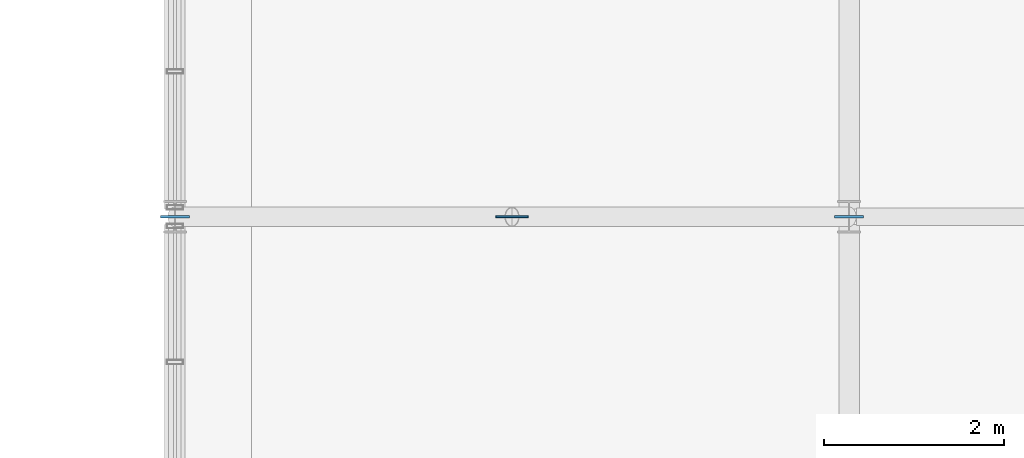
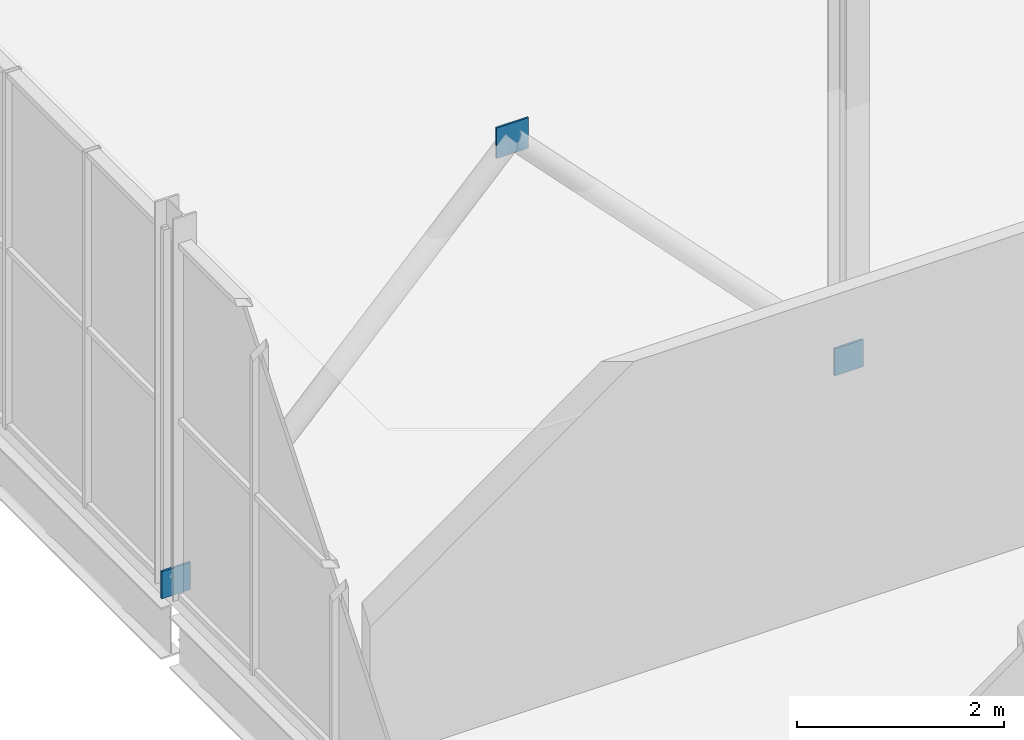
# One storey, part 93 of 104: 3 plates.
"""IFC4 building model written with IfcOpenShell, lengths in metres."""

from ifc_helpers import new_model, si_unit, direction, frame, origin, origin_2d, place, context, subcontext, project, spatial, rectangle, extrude, material, layer, layer_set, type_object, element, save


model = new_model("IFC4")

# Units and contexts
model_context = context("Model", 3, precision=1e-05, world=origin(), true_north=direction((0.0, 1.0)))
body_context = subcontext(model_context, "Body", "Model", "MODEL_VIEW")
ifc_project = project(units=[si_unit("LENGTHUNIT", "METRE"), si_unit("AREAUNIT", "SQUARE_METRE"), si_unit("VOLUMEUNIT", "CUBIC_METRE"), si_unit("PLANEANGLEUNIT", "RADIAN"), si_unit("MASSUNIT", "GRAM", prefix="KILO")], contexts=[model_context])

# Site, building, storey
site_placement = place(None, origin())
site = spatial("IfcSite", under=ifc_project, at=site_placement, CompositionType="ELEMENT")
building_placement = place(site_placement, origin())
building = spatial("IfcBuilding", under=site, at=building_placement, Name="Solvenia Promenade Tram Depot", CompositionType="ELEMENT")
storey_placement = place(building_placement, frame((0.0, 0.0, 9.0)))
storey = spatial("IfcBuildingStorey", under=building, at=storey_placement, Name="L02", CompositionType="ELEMENT", Elevation=9.0)

# Plates
ifc_material = material(Name="Structural steel ASTM A572 Gr. 50", Category="steel")
ifc_layer = layer(ifc_material, 0.02392578125, Name="Structural steel ASTM A572 Gr. 50", Category="steel")
ifc_layer_set = layer_set([ifc_layer], Name="Structural steel ASTM A572 Gr. 50")
plate_type = type_object("IfcPlateType", Name="EndCap-CP1", PredefinedType="SHEET", material=ifc_layer_set)
plate_placement = place(storey_placement, frame((108.75, 52.0, 3.81982421875), z_axis=(0.0, 0.0, 1.0), x_axis=(1.0, 0.0, 0.0)))
element("IfcPlate", 1, at=plate_placement, inside=storey, type_object=plate_type, Name="Chevron Gusset Cap Plate 09", PredefinedType="SHEET", context=body_context, shape_type="SweptSolid", body=[
    extrude(rectangle(XDim=0.360107421875, YDim=0.02001953125, at=origin_2d()), origin(), (0.0, 0.0, 1.0), 0.360107421875),
])
for number, where, z_axis, x_axis, name in (
    (2, (105.0, 52.0, -0.06005859375), (0.0, 0.0, 1.0), (1.0, 0.0, 0.0), "Chevron Left Foot Gusset Plate 09"),
    (3, (112.5, 52.0, -0.06005859375), (0.0, 0.0, 1.0), (1.0, 0.0, 0.0), "Chevron Right Foot Gusset Plate 09"),
):
    element("IfcPlate", number, at=place(storey_placement, frame(where, z_axis=z_axis, x_axis=x_axis)), inside=storey, type_object=plate_type, Name=name, PredefinedType="SHEET", context=body_context, shape_type="SweptSolid", body=[
        extrude(rectangle(XDim=0.320068359375, YDim=0.02392578125, at=origin_2d()), origin(), (0.0, 0.0, 1.0), 0.320068359375),
    ])

save(model, "model.ifc")
